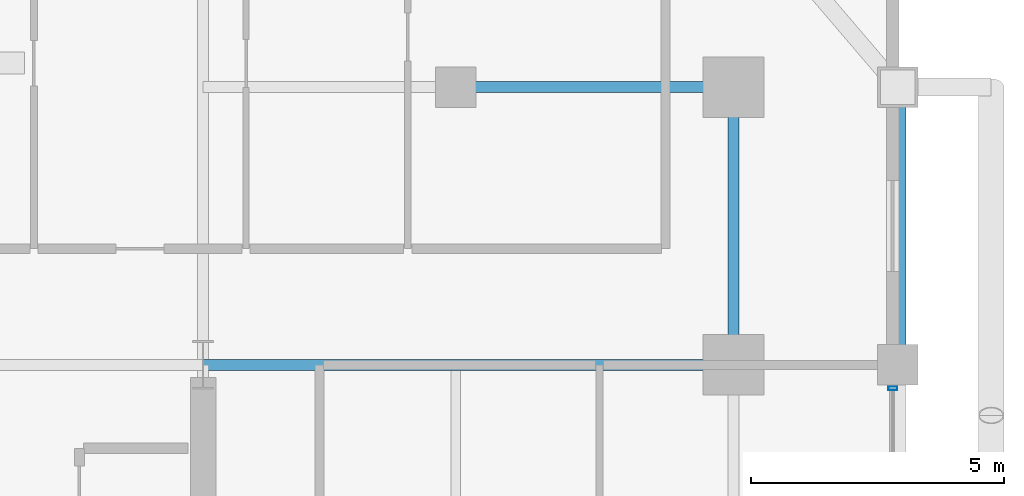
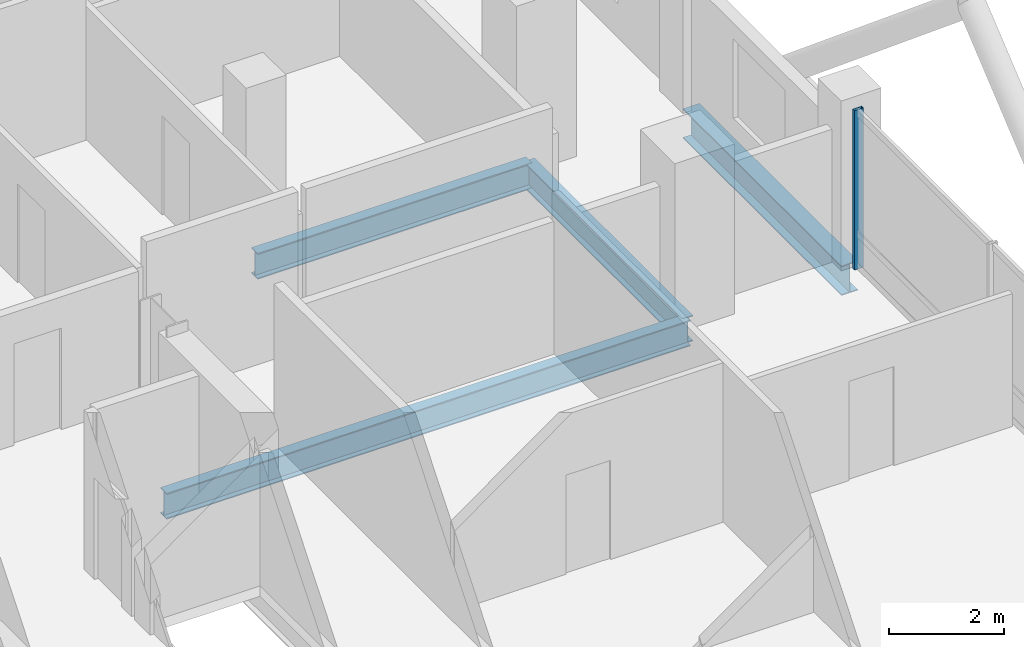
# One storey, part 17 of 25: 4 beams, 1 member, 1 element without a shape of its own.
"""IFC4 building model written with IfcOpenShell, lengths in metres."""

import ifcopenshell
import ifcopenshell.guid

model = None  # the IFC model being written
_history = None  # IfcOwnerHistory: only IFC2X3 demands one
_inside = {}  # id of a spatial element -> (the spatial element, [elements in it])
_under = {}  # id of a project, library or spatial element -> (it, [spatial elements below it])
_declared = {}  # id of a project -> (the project, [libraries it declares])
_typed = {}  # id of a type object -> (the type object, [elements of that type])
_made_of = {}  # id of a material, layer set ... -> (it, [elements and type objects made of it])


def new_model(schema):
    """Start an empty IFC model of exactly this schema.

    Asked for "IFC4X3", IfcOpenShell would pick the latest addendum, in which some entities
    have other attributes; the version numbers below select the first issue.
    IFC2X3 requires an IfcOwnerHistory on every rooted entity: one is made here for all.
    """
    global model, _history
    if schema == "IFC4X3":
        model = ifcopenshell.file(schema_version=(4, 3, 0, 0))
    else:
        model = ifcopenshell.file(schema=schema)
    _inside.clear()
    _under.clear()
    _declared.clear()
    _typed.clear()
    _made_of.clear()
    _history = None
    if model.schema == "IFC2X3":
        org = make("IfcOrganization", Name="unknown")
        user = make(
            "IfcPersonAndOrganization",
            ThePerson=make("IfcPerson", FamilyName="unknown"),
            TheOrganization=org,
        )
        app = make(
            "IfcApplication",
            ApplicationDeveloper=org,
            Version="unknown",
            ApplicationFullName="unknown",
            ApplicationIdentifier="unknown",
        )
        _history = make(
            "IfcOwnerHistory",
            OwningUser=user,
            OwningApplication=app,
            ChangeAction="ADDED",
            CreationDate=0,
        )
    return model


def make(cls, **values):
    """One entity of the class cls with the attributes given. An attribute that is None is left unset."""
    return model.create_entity(
        cls, **{name: value for name, value in values.items() if value is not None}
    )


def rooted(cls, **values):
    """An entity with a GlobalId (a new one), such as an element, a storey or a relation."""
    return make(cls, GlobalId=ifcopenshell.guid.new(), OwnerHistory=_history, **values)


def si_unit(unit_type, name, prefix=None):
    """IfcSIUnit, for example si_unit("LENGTHUNIT", "METRE", prefix="MILLI")."""
    return make("IfcSIUnit", UnitType=unit_type, Prefix=prefix, Name=name)


def assignment(units):
    """IfcUnitAssignment: the units of a project."""
    return None if units is None else make("IfcUnitAssignment", Units=units)


def point(xyz):
    """IfcCartesianPoint."""
    return None if xyz is None else make("IfcCartesianPoint", Coordinates=xyz)


def direction(xyz):
    """IfcDirection."""
    return None if xyz is None else make("IfcDirection", DirectionRatios=xyz)


def frame(location, z_axis=None, x_axis=None):
    """IfcAxis2Placement3D, a coordinate frame: its origin and axes. An axis left out is left unset."""
    return make(
        "IfcAxis2Placement3D",
        Location=point(location),
        Axis=direction(z_axis),
        RefDirection=direction(x_axis),
    )


def frame_2d(location, x_axis=None):
    """IfcAxis2Placement2D, a coordinate frame in the plane: its origin and x axis."""
    return make(
        "IfcAxis2Placement2D", Location=point(location), RefDirection=direction(x_axis)
    )


def origin():
    """The frame at (0, 0, 0) with its axes left unset."""
    return frame((0.0, 0.0, 0.0))


def origin_2d():
    """The frame at (0, 0) in the plane with its x axis left unset."""
    return frame_2d((0.0, 0.0))


def place(relative_to, where):
    """IfcLocalPlacement: puts the frame where relative to a parent placement (None: the world)."""
    return make(
        "IfcLocalPlacement", PlacementRelTo=relative_to, RelativePlacement=where
    )


def context(
    kind, dimensions, precision=None, world=None, true_north=None, identifier=None
):
    """IfcGeometricRepresentationContext, for example the 3D "Model" context."""
    return make(
        "IfcGeometricRepresentationContext",
        ContextIdentifier=identifier,
        ContextType=kind,
        CoordinateSpaceDimension=dimensions,
        Precision=precision,
        WorldCoordinateSystem=world,
        TrueNorth=true_north,
    )


def subcontext(parent, identifier, kind, view, scale=None):
    """IfcGeometricRepresentationSubContext, for example "Body" below "Model"."""
    return make(
        "IfcGeometricRepresentationSubContext",
        ContextIdentifier=identifier,
        ContextType=kind,
        ParentContext=parent,
        TargetScale=scale,
        TargetView=view,
    )


def project(units=None, contexts=None):
    """IfcProject with its units and contexts."""
    return rooted(
        "IfcProject",
        Name="project",
        RepresentationContexts=contexts,
        UnitsInContext=assignment(units),
    )


def spatial(cls, under=None, at=None, **own):
    """A site, building, storey or space (cls), placed at a placement, below another one or the project."""
    s = rooted(cls, ObjectPlacement=at, **own)
    if under is not None:
        _under.setdefault(under.id(), (under, []))[1].append(s)
    return s


def profile(cls, at=None, kind="AREA", **sizes):
    """A parametric profile (cls). Its sizes go by their IFC names, for example OverallWidth=200.0."""
    return make(cls, ProfileType=kind, Position=at, **sizes)


def hollow_rectangle(**sizes):
    """IfcRectangleHollowProfileDef."""
    return profile("IfcRectangleHollowProfileDef", **sizes)


def i_section(**sizes):
    """IfcIShapeProfileDef."""
    return profile("IfcIShapeProfileDef", **sizes)


def extrude(swept, where, along, depth):
    """IfcExtrudedAreaSolid: the profile swept, set in the frame where, extruded along a direction by depth."""
    return make(
        "IfcExtrudedAreaSolid",
        SweptArea=swept,
        Position=where,
        ExtrudedDirection=direction(along),
        Depth=depth,
    )


def shape(context_of_items, identifier, shape_type, items):
    """IfcShapeRepresentation: the items that make up one representation, for example the "Body"."""
    return make(
        "IfcShapeRepresentation",
        ContextOfItems=context_of_items,
        RepresentationIdentifier=identifier,
        RepresentationType=shape_type,
        Items=items,
    )


def material(Name=None, Category=None):
    """IfcMaterial."""
    return make("IfcMaterial", Name=Name, Category=Category)


def layer(
    of_material, thickness, ventilated=None, Name=None, Category=None, Priority=None
):
    """IfcMaterialLayer: one layer of a wall or slab, of a material (None: an air gap)."""
    return make(
        "IfcMaterialLayer",
        Material=of_material,
        LayerThickness=thickness,
        IsVentilated=ventilated,
        Name=Name,
        Category=Category,
        Priority=Priority,
    )


def layer_set(layers, Name=None):
    """IfcMaterialLayerSet."""
    return make("IfcMaterialLayerSet", MaterialLayers=layers, LayerSetName=Name)


def material_profile(
    of_material, cross_section, Name=None, Category=None, Priority=None
):
    """IfcMaterialProfile: a cross section and its material."""
    return make(
        "IfcMaterialProfile",
        Name=Name,
        Material=of_material,
        Profile=cross_section,
        Priority=Priority,
        Category=Category,
    )


def profile_set(profiles, Name=None, composite=None):
    """IfcMaterialProfileSet."""
    return make(
        "IfcMaterialProfileSet",
        Name=Name,
        MaterialProfiles=profiles,
        CompositeProfile=composite,
    )


def made_of(thing, what):
    """Note that an element or type object is made of a material, layer set ...; save() writes the relation."""
    if what is not None:
        _made_of.setdefault(what.id(), (what, []))[1].append(thing)
    return thing


def type_object(cls, material=None, **own):
    """A type object (cls), such as IfcWallType, which elements share."""
    return made_of(rooted(cls, **own), material)


def element(
    cls,
    number,
    at=None,
    inside=None,
    cuts=None,
    type_object=None,
    material=None,
    context=None,
    identifier="Body",
    shape_type=None,
    held_by="IfcProductDefinitionShape",
    body=None,
    shapes=None,
    **own,
):
    """One element of the class cls, such as IfcWall. Its Tag is "e" and its number.

    at: its placement. inside: the storey or other place that contains it. cuts: it is an
    opening in that element (IfcRelVoidsElement). A single representation is given by context,
    identifier, shape_type and body (its items); several are given by shapes. held_by: the class
    of the entity that holds the representations. save() writes the other relations.
    """
    e = rooted(cls, Tag="e%d" % number, ObjectPlacement=at, **own)
    if body is not None:
        shapes = [shape(context, identifier, shape_type, body)]
    if shapes is not None:
        e.Representation = make(held_by, Representations=shapes)
    if inside is not None:
        _inside.setdefault(inside.id(), (inside, []))[1].append(e)
    if cuts is not None:
        rooted(
            "IfcRelVoidsElement", RelatingBuildingElement=cuts, RelatedOpeningElement=e
        )
    if type_object is not None:
        _typed.setdefault(type_object.id(), (type_object, []))[1].append(e)
    return made_of(e, material)


def aggregate(whole, parts):
    """IfcRelAggregates: a whole, such as a stair, and the parts it consists of."""
    return rooted("IfcRelAggregates", RelatingObject=whole, RelatedObjects=parts)


def save(model, path):
    """Write the relations noted so far, then the file.

    IfcRelAggregates (storeys below a building ...), IfcRelContainedInSpatialStructure (elements
    in a storey), IfcRelDefinesByType, IfcRelAssociatesMaterial and IfcRelDeclares: one each for
    every whole, place, type object, material and project.
    """
    for whole, parts in _under.values():
        aggregate(whole, parts)
    for where, things in _inside.values():
        rooted(
            "IfcRelContainedInSpatialStructure",
            RelatedElements=things,
            RelatingStructure=where,
        )
    for kind, things in _typed.values():
        rooted("IfcRelDefinesByType", RelatedObjects=things, RelatingType=kind)
    for what, things in _made_of.values():
        rooted("IfcRelAssociatesMaterial", RelatedObjects=things, RelatingMaterial=what)
    for by, libraries in _declared.values():
        rooted("IfcRelDeclares", RelatingContext=by, RelatedDefinitions=libraries)
    model.write(path)


model = new_model("IFC4")

# Units and contexts
model_context = context("Model", 3, precision=1e-05, world=origin(), true_north=direction((0.0, 1.0)))
body_context = subcontext(model_context, "Body", "Model", "MODEL_VIEW")
ifc_project = project(units=[si_unit("LENGTHUNIT", "METRE"), si_unit("AREAUNIT", "SQUARE_METRE"), si_unit("VOLUMEUNIT", "CUBIC_METRE"), si_unit("PLANEANGLEUNIT", "RADIAN"), si_unit("MASSUNIT", "GRAM", prefix="KILO")], contexts=[model_context])

# Site, building, storey
site_placement = place(None, origin())
site = spatial("IfcSite", under=ifc_project, at=site_placement, CompositionType="ELEMENT")
building_placement = place(site_placement, origin())
building = spatial("IfcBuilding", under=site, at=building_placement, Name="Barlavira Tower and Art Museum", CompositionType="ELEMENT")
storey_placement = place(building_placement, frame((0.0, 0.0, 144.0)))
storey = spatial("IfcBuildingStorey", under=building, at=storey_placement, Name="L36", CompositionType="ELEMENT", Elevation=144.0)

# Curtain wall, member
ifc_material_1 = material(Name="Low-iron coastal laminated glass", Category="glass")
ifc_layer = layer(ifc_material_1, 0.18994140625, Name="Low-iron coastal laminated glass")
ifc_layer_set = layer_set([ifc_layer], Name="Low-iron coastal laminated glass")
curtain_wall_type = type_object("IfcCurtainWallType", Name="Pale-Metal Unitised Curtain Wall Zone 2", PredefinedType="NOTDEFINED", material=ifc_layer_set)
curtain_wall_placement = place(storey_placement, origin())
curtain_wall = element("IfcCurtainWall", 1, at=curtain_wall_placement, inside=storey, type_object=curtain_wall_type, Name="L36 Curtain Wall CW2-L36-E-B3", PredefinedType="NOTDEFINED")
ifc_material_2 = material(Name="Pale anodised aluminium", Category="aluminium")
ifc_material_profile_1 = material_profile(ifc_material_2, hollow_rectangle(XDim=0.06494140625, YDim=0.179931640625, WallThickness=0.00390625, at=origin_2d()), Name="ALU-MULL 65x180x4")
ifc_profile_set_1 = profile_set([ifc_material_profile_1], Name="Pale anodised aluminium")
member_type = type_object("IfcMemberType", Name="Curtain Wall Pale-Metal Mullion 65x180", PredefinedType="MULLION", material=ifc_profile_set_1)
member_placement = place(storey_placement, frame((20.14990234375, 7.034912109375, 0.0), z_axis=(0.0, 0.0, 1.0), x_axis=(0.0, 1.0, 0.0)))
member = element("IfcMember", 2, at=member_placement, type_object=member_type, Name="CW2-L36-E-B3 Mullion 3", PredefinedType="MULLION", context=body_context, shape_type="SweptSolid", body=[
    extrude(hollow_rectangle(XDim=0.06494140625, YDim=0.179931640625, WallThickness=0.00390625, at=origin_2d()), origin(), (0.0, 0.0, 1.0), 3.3798828125),
])
aggregate(curtain_wall, [member])

# Beams
ifc_material_3 = material(Name="Steel S355", Category="steel")
ifc_material_profile_2 = material_profile(ifc_material_3, i_section(OverallWidth=0.327880859375, OverallDepth=0.62890625, WebThickness=0.013916015625, FlangeThickness=0.021484375, at=origin_2d()), Name="W610x174.0")
ifc_profile_set_2 = profile_set([ifc_material_profile_2], Name="Steel S355")
beam_type_1 = type_object("IfcBeamType", Name="Perimeter Spandrel Edge Beam W610x174 Steel S355", PredefinedType="SPANDREL", material=ifc_profile_set_2)
beam_1_placement = place(storey_placement, frame((20.25, 7.5, -0.534423828125), z_axis=(0.0, 1.0, 0.0), x_axis=(-1.0, 0.0, 0.0)))
element("IfcBeam", 3, at=beam_1_placement, inside=storey, type_object=beam_type_1, Name="L36 Spandrel 7", PredefinedType="SPANDREL", context=body_context, shape_type="SweptSolid", body=[
    extrude(i_section(OverallWidth=0.327880859375, OverallDepth=0.62890625, WebThickness=0.013916015625, FlangeThickness=0.021484375, at=origin_2d()), origin(), (0.0, 0.0, 1.0), 5.5),
])
ifc_material_profile_3 = material_profile(ifc_material_3, i_section(OverallWidth=0.214111328125, OverallDepth=0.549072265625, WebThickness=0.0146484375, FlangeThickness=0.023681640625, at=origin_2d()), Name="W530x138.0")
ifc_profile_set_3 = profile_set([ifc_material_profile_3], Name="Steel S355")
beam_type_2 = type_object("IfcBeamType", Name="Zone 1 Primary Floor Girder W530x138 Steel S355", PredefinedType="BEAM", material=ifc_profile_set_3)
beam_2_placement = place(storey_placement, frame((17.0, 7.5, -0.494384765625), z_axis=(0.0, 1.0, 0.0), x_axis=(-1.0, 0.0, 0.0)))
element("IfcBeam", 4, at=beam_2_placement, inside=storey, type_object=beam_type_2, Name="L36 Girder M-E3", PredefinedType="BEAM", context=body_context, shape_type="SweptSolid", body=[
    extrude(i_section(OverallWidth=0.214111328125, OverallDepth=0.549072265625, WebThickness=0.0146484375, FlangeThickness=0.023681640625, at=origin_2d()), origin(), (0.0, 0.0, 1.0), 5.5),
])
beam_3_placement = place(storey_placement, frame((6.5, 7.5, -0.494384765625), z_axis=(1.0, 0.0, 0.0), x_axis=(0.0, 1.0, 0.0)))
element("IfcBeam", 5, at=beam_3_placement, inside=storey, type_object=beam_type_2, Name="L36 Girder R-E2", PredefinedType="BEAM", context=body_context, shape_type="SweptSolid", body=[
    extrude(i_section(OverallWidth=0.214111328125, OverallDepth=0.549072265625, WebThickness=0.0146484375, FlangeThickness=0.023681640625, at=origin_2d()), origin(), (0.0, 0.0, 1.0), 10.5),
])
beam_4_placement = place(storey_placement, frame((11.5, 13.0, -0.494384765625), z_axis=(1.0, 0.0, 0.0), x_axis=(0.0, 1.0, 0.0)))
element("IfcBeam", 6, at=beam_4_placement, inside=storey, type_object=beam_type_2, Name="L36 Girder I-N4", PredefinedType="BEAM", context=body_context, shape_type="SweptSolid", body=[
    extrude(i_section(OverallWidth=0.214111328125, OverallDepth=0.549072265625, WebThickness=0.0146484375, FlangeThickness=0.023681640625, at=origin_2d()), origin(), (0.0, 0.0, 1.0), 5.5),
])

save(model, "model.ifc")
